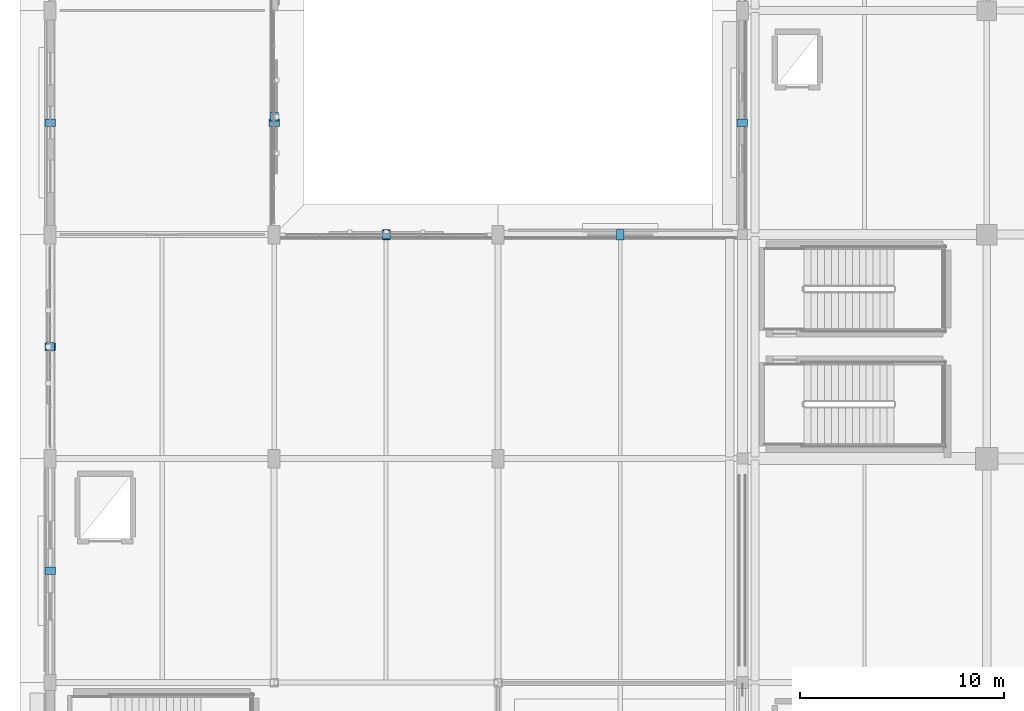
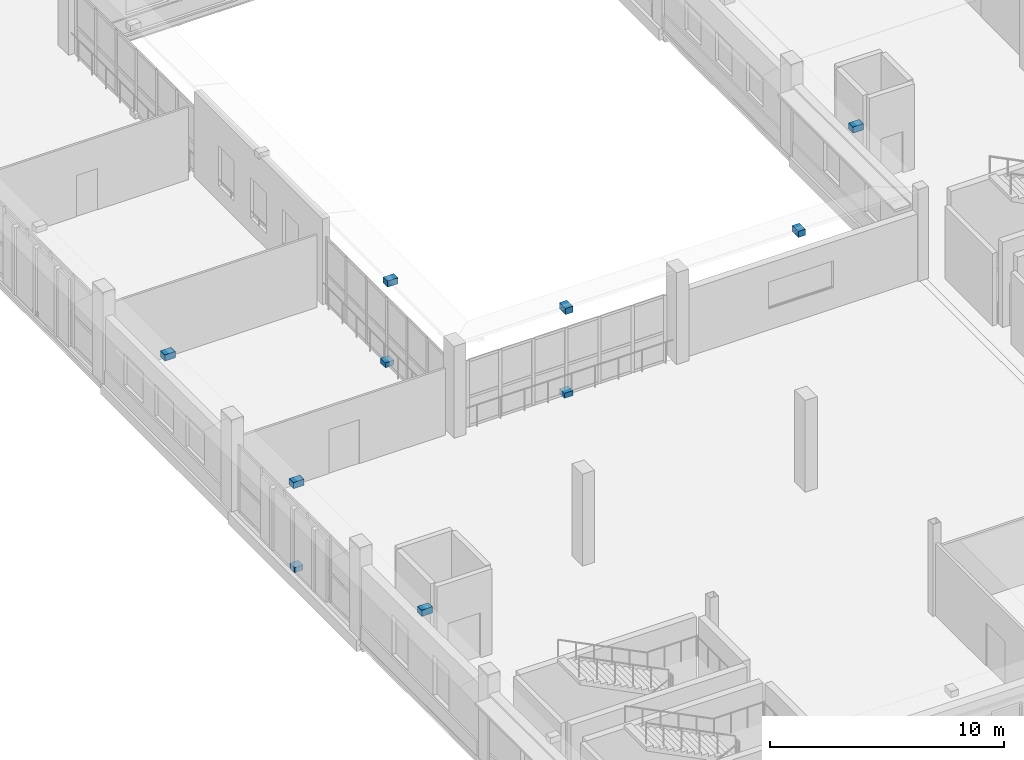
# One storey, part 106 of 143: 10 discrete accessories.
"""IFC4 building model written with IfcOpenShell, lengths in metres."""

import ifcopenshell
import ifcopenshell.guid

model = None  # the IFC model being written
_history = None  # IfcOwnerHistory: only IFC2X3 demands one
_inside = {}  # id of a spatial element -> (the spatial element, [elements in it])
_under = {}  # id of a project, library or spatial element -> (it, [spatial elements below it])
_declared = {}  # id of a project -> (the project, [libraries it declares])
_typed = {}  # id of a type object -> (the type object, [elements of that type])
_made_of = {}  # id of a material, layer set ... -> (it, [elements and type objects made of it])


def new_model(schema):
    """Start an empty IFC model of exactly this schema.

    Asked for "IFC4X3", IfcOpenShell would pick the latest addendum, in which some entities
    have other attributes; the version numbers below select the first issue.
    IFC2X3 requires an IfcOwnerHistory on every rooted entity: one is made here for all.
    """
    global model, _history
    if schema == "IFC4X3":
        model = ifcopenshell.file(schema_version=(4, 3, 0, 0))
    else:
        model = ifcopenshell.file(schema=schema)
    _inside.clear()
    _under.clear()
    _declared.clear()
    _typed.clear()
    _made_of.clear()
    _history = None
    if model.schema == "IFC2X3":
        org = make("IfcOrganization", Name="unknown")
        user = make(
            "IfcPersonAndOrganization",
            ThePerson=make("IfcPerson", FamilyName="unknown"),
            TheOrganization=org,
        )
        app = make(
            "IfcApplication",
            ApplicationDeveloper=org,
            Version="unknown",
            ApplicationFullName="unknown",
            ApplicationIdentifier="unknown",
        )
        _history = make(
            "IfcOwnerHistory",
            OwningUser=user,
            OwningApplication=app,
            ChangeAction="ADDED",
            CreationDate=0,
        )
    return model


def make(cls, **values):
    """One entity of the class cls with the attributes given. An attribute that is None is left unset."""
    return model.create_entity(
        cls, **{name: value for name, value in values.items() if value is not None}
    )


def rooted(cls, **values):
    """An entity with a GlobalId (a new one), such as an element, a storey or a relation."""
    return make(cls, GlobalId=ifcopenshell.guid.new(), OwnerHistory=_history, **values)


def si_unit(unit_type, name, prefix=None):
    """IfcSIUnit, for example si_unit("LENGTHUNIT", "METRE", prefix="MILLI")."""
    return make("IfcSIUnit", UnitType=unit_type, Prefix=prefix, Name=name)


def assignment(units):
    """IfcUnitAssignment: the units of a project."""
    return None if units is None else make("IfcUnitAssignment", Units=units)


def point(xyz):
    """IfcCartesianPoint."""
    return None if xyz is None else make("IfcCartesianPoint", Coordinates=xyz)


def direction(xyz):
    """IfcDirection."""
    return None if xyz is None else make("IfcDirection", DirectionRatios=xyz)


def frame(location, z_axis=None, x_axis=None):
    """IfcAxis2Placement3D, a coordinate frame: its origin and axes. An axis left out is left unset."""
    return make(
        "IfcAxis2Placement3D",
        Location=point(location),
        Axis=direction(z_axis),
        RefDirection=direction(x_axis),
    )


def frame_2d(location, x_axis=None):
    """IfcAxis2Placement2D, a coordinate frame in the plane: its origin and x axis."""
    return make(
        "IfcAxis2Placement2D", Location=point(location), RefDirection=direction(x_axis)
    )


def origin():
    """The frame at (0, 0, 0) with its axes left unset."""
    return frame((0.0, 0.0, 0.0))


def origin_2d():
    """The frame at (0, 0) in the plane with its x axis left unset."""
    return frame_2d((0.0, 0.0))


def place(relative_to, where):
    """IfcLocalPlacement: puts the frame where relative to a parent placement (None: the world)."""
    return make(
        "IfcLocalPlacement", PlacementRelTo=relative_to, RelativePlacement=where
    )


def context(
    kind, dimensions, precision=None, world=None, true_north=None, identifier=None
):
    """IfcGeometricRepresentationContext, for example the 3D "Model" context."""
    return make(
        "IfcGeometricRepresentationContext",
        ContextIdentifier=identifier,
        ContextType=kind,
        CoordinateSpaceDimension=dimensions,
        Precision=precision,
        WorldCoordinateSystem=world,
        TrueNorth=true_north,
    )


def subcontext(parent, identifier, kind, view, scale=None):
    """IfcGeometricRepresentationSubContext, for example "Body" below "Model"."""
    return make(
        "IfcGeometricRepresentationSubContext",
        ContextIdentifier=identifier,
        ContextType=kind,
        ParentContext=parent,
        TargetScale=scale,
        TargetView=view,
    )


def project(units=None, contexts=None):
    """IfcProject with its units and contexts."""
    return rooted(
        "IfcProject",
        Name="project",
        RepresentationContexts=contexts,
        UnitsInContext=assignment(units),
    )


def spatial(cls, under=None, at=None, **own):
    """A site, building, storey or space (cls), placed at a placement, below another one or the project."""
    s = rooted(cls, ObjectPlacement=at, **own)
    if under is not None:
        _under.setdefault(under.id(), (under, []))[1].append(s)
    return s


def profile(cls, at=None, kind="AREA", **sizes):
    """A parametric profile (cls). Its sizes go by their IFC names, for example OverallWidth=200.0."""
    return make(cls, ProfileType=kind, Position=at, **sizes)


def rectangle(**sizes):
    """IfcRectangleProfileDef."""
    return profile("IfcRectangleProfileDef", **sizes)


def extrude(swept, where, along, depth):
    """IfcExtrudedAreaSolid: the profile swept, set in the frame where, extruded along a direction by depth."""
    return make(
        "IfcExtrudedAreaSolid",
        SweptArea=swept,
        Position=where,
        ExtrudedDirection=direction(along),
        Depth=depth,
    )


def shape(context_of_items, identifier, shape_type, items):
    """IfcShapeRepresentation: the items that make up one representation, for example the "Body"."""
    return make(
        "IfcShapeRepresentation",
        ContextOfItems=context_of_items,
        RepresentationIdentifier=identifier,
        RepresentationType=shape_type,
        Items=items,
    )


def material(Name=None, Category=None):
    """IfcMaterial."""
    return make("IfcMaterial", Name=Name, Category=Category)


def layer(
    of_material, thickness, ventilated=None, Name=None, Category=None, Priority=None
):
    """IfcMaterialLayer: one layer of a wall or slab, of a material (None: an air gap)."""
    return make(
        "IfcMaterialLayer",
        Material=of_material,
        LayerThickness=thickness,
        IsVentilated=ventilated,
        Name=Name,
        Category=Category,
        Priority=Priority,
    )


def layer_set(layers, Name=None):
    """IfcMaterialLayerSet."""
    return make("IfcMaterialLayerSet", MaterialLayers=layers, LayerSetName=Name)


def made_of(thing, what):
    """Note that an element or type object is made of a material, layer set ...; save() writes the relation."""
    if what is not None:
        _made_of.setdefault(what.id(), (what, []))[1].append(thing)
    return thing


def type_object(cls, material=None, **own):
    """A type object (cls), such as IfcWallType, which elements share."""
    return made_of(rooted(cls, **own), material)


def element(
    cls,
    number,
    at=None,
    inside=None,
    cuts=None,
    type_object=None,
    material=None,
    context=None,
    identifier="Body",
    shape_type=None,
    held_by="IfcProductDefinitionShape",
    body=None,
    shapes=None,
    **own,
):
    """One element of the class cls, such as IfcWall. Its Tag is "e" and its number.

    at: its placement. inside: the storey or other place that contains it. cuts: it is an
    opening in that element (IfcRelVoidsElement). A single representation is given by context,
    identifier, shape_type and body (its items); several are given by shapes. held_by: the class
    of the entity that holds the representations. save() writes the other relations.
    """
    e = rooted(cls, Tag="e%d" % number, ObjectPlacement=at, **own)
    if body is not None:
        shapes = [shape(context, identifier, shape_type, body)]
    if shapes is not None:
        e.Representation = make(held_by, Representations=shapes)
    if inside is not None:
        _inside.setdefault(inside.id(), (inside, []))[1].append(e)
    if cuts is not None:
        rooted(
            "IfcRelVoidsElement", RelatingBuildingElement=cuts, RelatedOpeningElement=e
        )
    if type_object is not None:
        _typed.setdefault(type_object.id(), (type_object, []))[1].append(e)
    return made_of(e, material)


def aggregate(whole, parts):
    """IfcRelAggregates: a whole, such as a stair, and the parts it consists of."""
    return rooted("IfcRelAggregates", RelatingObject=whole, RelatedObjects=parts)


def save(model, path):
    """Write the relations noted so far, then the file.

    IfcRelAggregates (storeys below a building ...), IfcRelContainedInSpatialStructure (elements
    in a storey), IfcRelDefinesByType, IfcRelAssociatesMaterial and IfcRelDeclares: one each for
    every whole, place, type object, material and project.
    """
    for whole, parts in _under.values():
        aggregate(whole, parts)
    for where, things in _inside.values():
        rooted(
            "IfcRelContainedInSpatialStructure",
            RelatedElements=things,
            RelatingStructure=where,
        )
    for kind, things in _typed.values():
        rooted("IfcRelDefinesByType", RelatedObjects=things, RelatingType=kind)
    for what, things in _made_of.values():
        rooted("IfcRelAssociatesMaterial", RelatedObjects=things, RelatingMaterial=what)
    for by, libraries in _declared.values():
        rooted("IfcRelDeclares", RelatingContext=by, RelatedDefinitions=libraries)
    model.write(path)


model = new_model("IFC4")

# Units and contexts
model_context = context("Model", 3, precision=1e-05, world=origin(), true_north=direction((0.0, 1.0)))
body_context = subcontext(model_context, "Body", "Model", "MODEL_VIEW")
ifc_project = project(units=[si_unit("LENGTHUNIT", "METRE"), si_unit("AREAUNIT", "SQUARE_METRE"), si_unit("VOLUMEUNIT", "CUBIC_METRE"), si_unit("PLANEANGLEUNIT", "RADIAN"), si_unit("MASSUNIT", "GRAM", prefix="KILO")], contexts=[model_context])

# Site, building, storey
site_placement = place(None, origin())
site = spatial("IfcSite", under=ifc_project, at=site_placement, CompositionType="ELEMENT")
building_placement = place(site_placement, origin())
building = spatial("IfcBuilding", under=site, at=building_placement, Name="Luwafu Chhajja Arena", CompositionType="ELEMENT")
storey_placement = place(building_placement, frame((0.0, 0.0, 5.39990234375)))
storey = spatial("IfcBuildingStorey", under=building, at=storey_placement, Name="L01", CompositionType="ELEMENT", Elevation=5.39990234375)

# Discrete accessories
ifc_material = material(Name="Stainless steel bracket", Category="steel")
ifc_layer = layer(ifc_material, 0.179931640625, Name="Stainless steel bracket")
ifc_layer_set = layer_set([ifc_layer], Name="Stainless steel bracket")
discrete_accessory_type = type_object("IfcDiscreteAccessoryType", Name="Stainless Steel Facade Support Bracket", PredefinedType="BRACKET", material=ifc_layer_set)
for number, where, z_axis, x_axis, name in (
    (1, (0.0, 38.5, 4.3798828125), (0.0, 0.0, 1.0), (0.0, 1.0, 0.0), "L01 Chhajja Eave Support Bracket 0126"),
    (2, (0.0, 49.5, 4.3798828125), (0.0, 0.0, 1.0), (0.0, 1.0, 0.0), "L01 Chhajja Eave Support Bracket 0127"),
):
    element("IfcDiscreteAccessory", number, at=place(storey_placement, frame(where, z_axis=z_axis, x_axis=x_axis)), inside=storey, type_object=discrete_accessory_type, Name=name, PredefinedType="BRACKET", context=body_context, shape_type="SweptSolid", body=[
        extrude(rectangle(XDim=0.360107421875, YDim=0.52001953125, at=origin_2d()), origin(), (0.0, 0.0, 1.0), 0.320068359375),
    ])
discrete_accessory_1_placement = place(storey_placement, frame((0.0, 49.5, -0.009765625), z_axis=(0.0, 0.0, 1.0), x_axis=(0.0, 1.0, 0.0)))
element("IfcDiscreteAccessory", 3, at=discrete_accessory_1_placement, inside=storey, type_object=discrete_accessory_type, Name="Jali Stainless Support Bracket 0128", PredefinedType="BRACKET", context=body_context, shape_type="SweptSolid", body=[
    extrude(rectangle(XDim=0.419921875, YDim=0.419921875, at=origin_2d()), origin(), (0.0, 0.0, 1.0), 0.260009765625),
])
for number, where, z_axis, x_axis, name in (
    (4, (0.0, 60.5, 4.3798828125), (0.0, 0.0, 1.0), (0.0, 1.0, 0.0), "L01 Chhajja Eave Support Bracket 0129"),
    (5, (11.0, 60.5, 4.3798828125), (0.0, 0.0, 1.0), (0.0, 1.0, 0.0), "L01 Chhajja Eave Support Bracket 0130"),
):
    element("IfcDiscreteAccessory", number, at=place(storey_placement, frame(where, z_axis=z_axis, x_axis=x_axis)), inside=storey, type_object=discrete_accessory_type, Name=name, PredefinedType="BRACKET", context=body_context, shape_type="SweptSolid", body=[
        extrude(rectangle(XDim=0.360107421875, YDim=0.52001953125, at=origin_2d()), origin(), (0.0, 0.0, 1.0), 0.320068359375),
    ])
discrete_accessory_2_placement = place(storey_placement, frame((11.0, 60.794921875, -0.009765625), z_axis=(0.0, 0.0, 1.0), x_axis=(0.0, 1.0, 0.0)))
element("IfcDiscreteAccessory", 6, at=discrete_accessory_2_placement, inside=storey, type_object=discrete_accessory_type, Name="Jali Stainless Support Bracket 0131", PredefinedType="BRACKET", context=body_context, shape_type="SweptSolid", body=[
    extrude(rectangle(XDim=0.419921875, YDim=0.419921875, at=origin_2d()), origin(), (0.0, 0.0, 1.0), 0.260009765625),
])
discrete_accessory_3_placement = place(storey_placement, frame((16.5, 55.0, 4.3798828125), z_axis=(0.0, 0.0, 1.0), x_axis=(1.0, 0.0, 0.0)))
element("IfcDiscreteAccessory", 7, at=discrete_accessory_3_placement, inside=storey, type_object=discrete_accessory_type, Name="L01 Chhajja Eave Support Bracket 0145", PredefinedType="BRACKET", context=body_context, shape_type="SweptSolid", body=[
    extrude(rectangle(XDim=0.360107421875, YDim=0.52001953125, at=origin_2d()), origin(), (0.0, 0.0, 1.0), 0.320068359375),
])
discrete_accessory_4_placement = place(storey_placement, frame((16.5, 55.0, -0.009765625), z_axis=(0.0, 0.0, 1.0), x_axis=(1.0, 0.0, 0.0)))
element("IfcDiscreteAccessory", 8, at=discrete_accessory_4_placement, inside=storey, type_object=discrete_accessory_type, Name="Jali Stainless Support Bracket 0146", PredefinedType="BRACKET", context=body_context, shape_type="SweptSolid", body=[
    extrude(rectangle(XDim=0.419921875, YDim=0.419921875, at=origin_2d()), origin(), (0.0, 0.0, 1.0), 0.260009765625),
])
for number, where, z_axis, x_axis, name in (
    (9, (28.0, 55.0, 4.3798828125), (0.0, 0.0, 1.0), (1.0, 0.0, 0.0), "L01 Chhajja Eave Support Bracket 0152"),
    (10, (34.0, 60.5, 4.3798828125), (0.0, 0.0, 1.0), (0.0, 1.0, 0.0), "L01 Chhajja Eave Support Bracket 0157"),
):
    element("IfcDiscreteAccessory", number, at=place(storey_placement, frame(where, z_axis=z_axis, x_axis=x_axis)), inside=storey, type_object=discrete_accessory_type, Name=name, PredefinedType="BRACKET", context=body_context, shape_type="SweptSolid", body=[
        extrude(rectangle(XDim=0.360107421875, YDim=0.52001953125, at=origin_2d()), origin(), (0.0, 0.0, 1.0), 0.320068359375),
    ])

save(model, "model.ifc")
